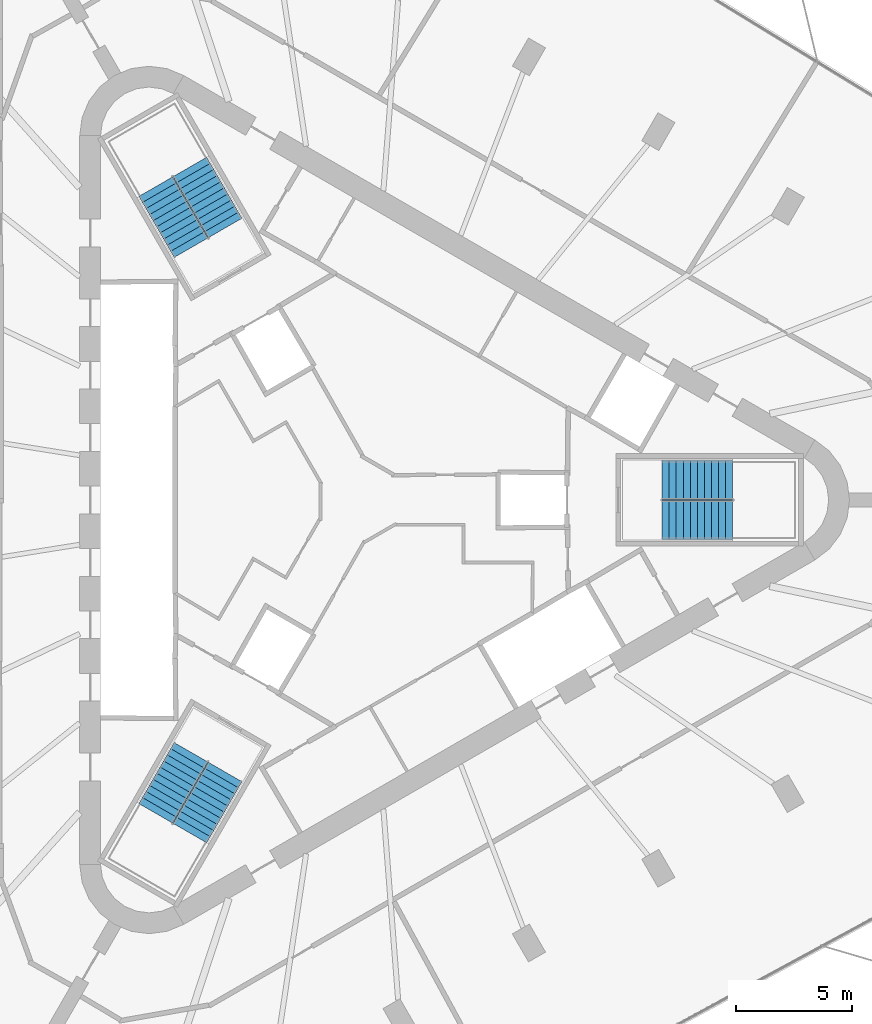
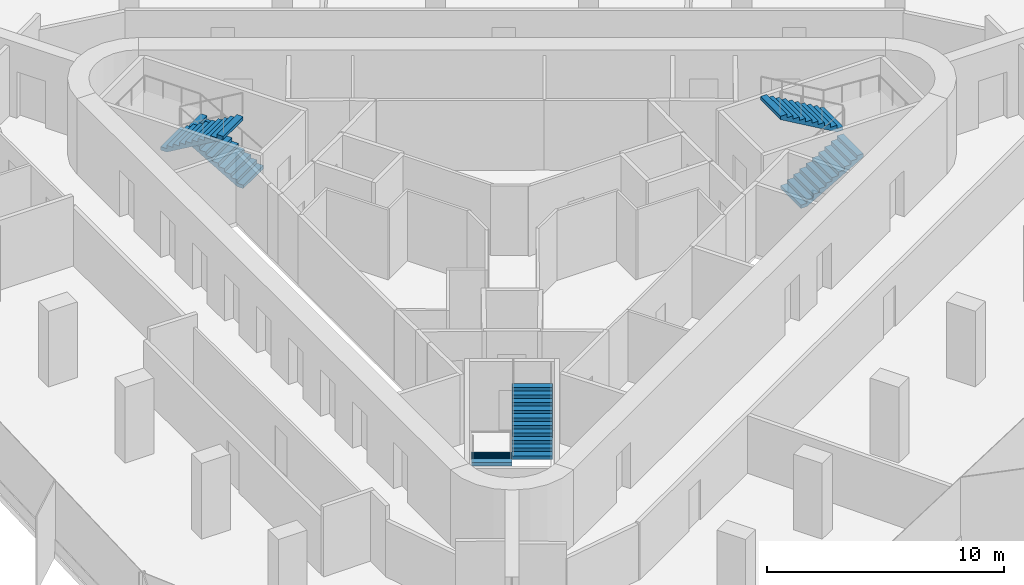
# One storey, part 12 of 13: 6 stair flights, 3 elements without a shape of their own.
"""IFC4 building model written with IfcOpenShell, lengths in metres."""

from ifc_helpers import new_model, si_unit, direction, frame, origin, place, context, subcontext, project, spatial, polyline, outline, extrude, material, type_object, element, aggregate, save


model = new_model("IFC4")

# Units and contexts
model_context = context("Model", 3, precision=1e-05, world=origin(), true_north=direction((0.0, 1.0)))
body_context = subcontext(model_context, "Body", "Model", "MODEL_VIEW")
ifc_project = project(units=[si_unit("LENGTHUNIT", "METRE"), si_unit("AREAUNIT", "SQUARE_METRE"), si_unit("VOLUMEUNIT", "CUBIC_METRE"), si_unit("PLANEANGLEUNIT", "RADIAN"), si_unit("MASSUNIT", "GRAM", prefix="KILO")], contexts=[model_context])

# Site, building, storey
site_placement = place(None, origin())
site = spatial("IfcSite", under=ifc_project, at=site_placement, CompositionType="ELEMENT")
building_placement = place(site_placement, origin())
building = spatial("IfcBuilding", under=site, at=building_placement, Name="Tanit Gate Tower", CompositionType="ELEMENT")
storey_placement = place(building_placement, frame((0.0, 0.0, 326.0)))
storey = spatial("IfcBuildingStorey", under=building, at=storey_placement, Name="L73", CompositionType="ELEMENT", Elevation=326.0)

# Stair, stair flights
ifc_material_1 = material(Name="Concrete C40/50", Category="concrete")
stair_type = type_object("IfcStairType", Name="INT-STAIR-EXIT", PredefinedType="HALF_TURN_STAIR", material=ifc_material_1)
stair_1_placement = place(storey_placement, origin())
stair_1 = element("IfcStair", 1, at=stair_1_placement, inside=storey, type_object=stair_type, Name="L73 STAIR S1", PredefinedType="HALF_TURN_STAIR")
ifc_material_2 = material(Name="Concrete C40/50", Category="concrete")
stair_flight_type = type_object("IfcStairFlightType", Name="INT-STAIR-FLIGHT", PredefinedType="STRAIGHT", material=ifc_material_2)
stair_flight_1_placement = place(storey_placement, frame((13.094970703125, -0.8525390625, 0.0), z_axis=(0.0, 0.0, 1.0), x_axis=(1.0, 0.0, 0.0)))
stair_flight_1 = element("IfcStairFlight", 2, at=stair_flight_1_placement, type_object=stair_flight_type, Name="S1 flight 1", NumberOfRisers=11, NumberOfTreads=10, PredefinedType="STRAIGHT", RiserHeight=0.177272727, TreadLength=0.3051, context=body_context, shape_type="SweptSolid", body=[
    extrude(outline(polyline([(0.0, 0.0), (0.0, 0.17724609375), (0.30517578125, 0.17724609375), (0.30517578125, 0.3544921875), (0.610107421875, 0.3544921875), (0.610107421875, 0.53173828125), (0.915283203125, 0.53173828125), (0.915283203125, 0.708984375), (1.220458984375, 0.708984375), (1.220458984375, 0.886474609375), (1.525390625, 0.886474609375), (1.525390625, 1.063720703125), (1.83056640625, 1.063720703125), (1.83056640625, 1.240966796875), (2.1357421875, 1.240966796875), (2.1357421875, 1.418212890625), (2.44091796875, 1.418212890625), (2.44091796875, 1.595458984375), (2.745849609375, 1.595458984375), (2.745849609375, 1.772705078125), (3.051025390625, 1.772705078125), (3.051025390625, 1.949951171875), (3.051025390625, 1.599365234375), (0.29833984375, 0.0), (0.0, 0.0)])), frame((0.0, 0.84765625, 0.0), z_axis=(0.0, -1.0, 0.0), x_axis=(1.0, 0.0, 0.0)), (0.0, 0.0, 1.0), 1.695068359375),
])
stair_flight_2_placement = place(storey_placement, frame((16.14599609375, 0.8525390625, 1.949951171875), z_axis=(0.0, 0.0, 1.0), x_axis=(-1.0, 0.0, 0.0)))
stair_flight_2 = element("IfcStairFlight", 3, at=stair_flight_2_placement, type_object=stair_flight_type, Name="S1 flight 2", NumberOfRisers=11, NumberOfTreads=10, PredefinedType="STRAIGHT", RiserHeight=0.177272727, TreadLength=0.3051, context=body_context, shape_type="SweptSolid", body=[
    extrude(outline(polyline([(0.0, 0.0), (0.0, 0.17724609375), (0.30517578125, 0.17724609375), (0.30517578125, 0.3544921875), (0.610107421875, 0.3544921875), (0.610107421875, 0.53173828125), (0.915283203125, 0.53173828125), (0.915283203125, 0.708984375), (1.220458984375, 0.708984375), (1.220458984375, 0.886474609375), (1.525390625, 0.886474609375), (1.525390625, 1.063720703125), (1.83056640625, 1.063720703125), (1.83056640625, 1.240966796875), (2.1357421875, 1.240966796875), (2.1357421875, 1.418212890625), (2.44091796875, 1.418212890625), (2.44091796875, 1.595458984375), (2.745849609375, 1.595458984375), (2.745849609375, 1.772705078125), (3.051025390625, 1.772705078125), (3.051025390625, 1.949951171875), (3.051025390625, 1.599365234375), (0.29833984375, 0.0), (0.0, 0.0)])), frame((0.0, 0.84765625, 0.0), z_axis=(0.0, -1.0, 0.0), x_axis=(1.0, 0.0, 0.0)), (0.0, 0.0, 1.0), 1.695068359375),
])
aggregate(stair_1, [stair_flight_1, stair_flight_2])

stair_2_placement = place(storey_placement, origin())
stair_2 = element("IfcStair", 4, at=stair_2_placement, inside=storey, type_object=stair_type, Name="L73 STAIR S2", PredefinedType="HALF_TURN_STAIR")
stair_flight_3_placement = place(storey_placement, frame((-5.808349609375, 11.766357421875, 0.0), z_axis=(0.0, 0.0, 1.0), x_axis=(-0.5, 0.866025403784, 0.0)))
stair_flight_3 = element("IfcStairFlight", 5, at=stair_flight_3_placement, type_object=stair_flight_type, Name="S2 flight 1", NumberOfRisers=11, NumberOfTreads=10, PredefinedType="STRAIGHT", RiserHeight=0.177272727, TreadLength=0.30492, context=body_context, shape_type="SweptSolid", body=[
    extrude(outline(polyline([(0.0, 0.0), (0.0, 0.17724609375), (0.304931640625, 0.17724609375), (0.304931640625, 0.3544921875), (0.60986328125, 0.3544921875), (0.60986328125, 0.53173828125), (0.914794921875, 0.53173828125), (0.914794921875, 0.708984375), (1.2197265625, 0.708984375), (1.2197265625, 0.886474609375), (1.524658203125, 0.886474609375), (1.524658203125, 1.063720703125), (1.82958984375, 1.063720703125), (1.82958984375, 1.240966796875), (2.134521484375, 1.240966796875), (2.134521484375, 1.418212890625), (2.439453125, 1.418212890625), (2.439453125, 1.595458984375), (2.744384765625, 1.595458984375), (2.744384765625, 1.772705078125), (3.04931640625, 1.772705078125), (3.04931640625, 1.949951171875), (3.04931640625, 1.599365234375), (0.29833984375, 0.0), (0.0, 0.0)])), frame((0.0, 0.84716796875, 0.0), z_axis=(0.0, -1.0, 0.0), x_axis=(1.0, 0.0, 0.0)), (0.0, 0.0, 1.0), 1.694091796875),
])
stair_flight_4_placement = place(storey_placement, frame((-8.810302734375, 13.553955078125, 1.949951171875), z_axis=(0.0, 0.0, 1.0), x_axis=(0.5, -0.866025403784, 0.0)))
stair_flight_4 = element("IfcStairFlight", 6, at=stair_flight_4_placement, type_object=stair_flight_type, Name="S2 flight 2", NumberOfRisers=11, NumberOfTreads=10, PredefinedType="STRAIGHT", RiserHeight=0.177272727, TreadLength=0.30492, context=body_context, shape_type="SweptSolid", body=[
    extrude(outline(polyline([(0.0, 0.0), (0.0, 0.17724609375), (0.304931640625, 0.17724609375), (0.304931640625, 0.3544921875), (0.60986328125, 0.3544921875), (0.60986328125, 0.53173828125), (0.914794921875, 0.53173828125), (0.914794921875, 0.708984375), (1.2197265625, 0.708984375), (1.2197265625, 0.886474609375), (1.524658203125, 0.886474609375), (1.524658203125, 1.063720703125), (1.82958984375, 1.063720703125), (1.82958984375, 1.240966796875), (2.134521484375, 1.240966796875), (2.134521484375, 1.418212890625), (2.439453125, 1.418212890625), (2.439453125, 1.595458984375), (2.744384765625, 1.595458984375), (2.744384765625, 1.772705078125), (3.04931640625, 1.772705078125), (3.04931640625, 1.949951171875), (3.04931640625, 1.599365234375), (0.29833984375, 0.0), (0.0, 0.0)])), frame((0.0, 0.84716796875, 0.0), z_axis=(0.0, -1.0, 0.0), x_axis=(1.0, 0.0, 0.0)), (0.0, 0.0, 1.0), 1.694091796875),
])
aggregate(stair_2, [stair_flight_3, stair_flight_4])

stair_3_placement = place(storey_placement, origin())
stair_3 = element("IfcStair", 7, at=stair_3_placement, inside=storey, type_object=stair_type, Name="L73 STAIR S3", PredefinedType="HALF_TURN_STAIR")
stair_flight_5_placement = place(storey_placement, frame((-7.285888671875, -10.914306640625, 0.0), z_axis=(0.0, 0.0, 1.0), x_axis=(-0.5, -0.866025403784, 0.0)))
stair_flight_5 = element("IfcStairFlight", 8, at=stair_flight_5_placement, type_object=stair_flight_type, Name="S3 flight 1", NumberOfRisers=11, NumberOfTreads=10, PredefinedType="STRAIGHT", RiserHeight=0.177272727, TreadLength=0.3051, context=body_context, shape_type="SweptSolid", body=[
    extrude(outline(polyline([(0.0, 0.0), (0.0, 0.17724609375), (0.30517578125, 0.17724609375), (0.30517578125, 0.3544921875), (0.610107421875, 0.3544921875), (0.610107421875, 0.53173828125), (0.915283203125, 0.53173828125), (0.915283203125, 0.708984375), (1.220458984375, 0.708984375), (1.220458984375, 0.886474609375), (1.525390625, 0.886474609375), (1.525390625, 1.063720703125), (1.83056640625, 1.063720703125), (1.83056640625, 1.240966796875), (2.1357421875, 1.240966796875), (2.1357421875, 1.418212890625), (2.44091796875, 1.418212890625), (2.44091796875, 1.595458984375), (2.745849609375, 1.595458984375), (2.745849609375, 1.772705078125), (3.051025390625, 1.772705078125), (3.051025390625, 1.949951171875), (3.051025390625, 1.599365234375), (0.29833984375, 0.0), (0.0, 0.0)])), frame((0.0, 0.84765625, 0.0), z_axis=(0.0, -1.0, 0.0), x_axis=(1.0, 0.0, 0.0)), (0.0, 0.0, 1.0), 1.695068359375),
])
stair_flight_6_placement = place(storey_placement, frame((-7.334716796875, -14.4091796875, 1.949951171875), z_axis=(0.0, 0.0, 1.0), x_axis=(0.5, 0.866025403784, 0.0)))
stair_flight_6 = element("IfcStairFlight", 9, at=stair_flight_6_placement, type_object=stair_flight_type, Name="S3 flight 2", NumberOfRisers=11, NumberOfTreads=10, PredefinedType="STRAIGHT", RiserHeight=0.177272727, TreadLength=0.3051, context=body_context, shape_type="SweptSolid", body=[
    extrude(outline(polyline([(0.0, 0.0), (0.0, 0.17724609375), (0.30517578125, 0.17724609375), (0.30517578125, 0.3544921875), (0.610107421875, 0.3544921875), (0.610107421875, 0.53173828125), (0.915283203125, 0.53173828125), (0.915283203125, 0.708984375), (1.220458984375, 0.708984375), (1.220458984375, 0.886474609375), (1.525390625, 0.886474609375), (1.525390625, 1.063720703125), (1.83056640625, 1.063720703125), (1.83056640625, 1.240966796875), (2.1357421875, 1.240966796875), (2.1357421875, 1.418212890625), (2.44091796875, 1.418212890625), (2.44091796875, 1.595458984375), (2.745849609375, 1.595458984375), (2.745849609375, 1.772705078125), (3.051025390625, 1.772705078125), (3.051025390625, 1.949951171875), (3.051025390625, 1.599365234375), (0.29833984375, 0.0), (0.0, 0.0)])), frame((0.0, 0.84765625, 0.0), z_axis=(0.0, -1.0, 0.0), x_axis=(1.0, 0.0, 0.0)), (0.0, 0.0, 1.0), 1.695068359375),
])
aggregate(stair_3, [stair_flight_5, stair_flight_6])

save(model, "model.ifc")
